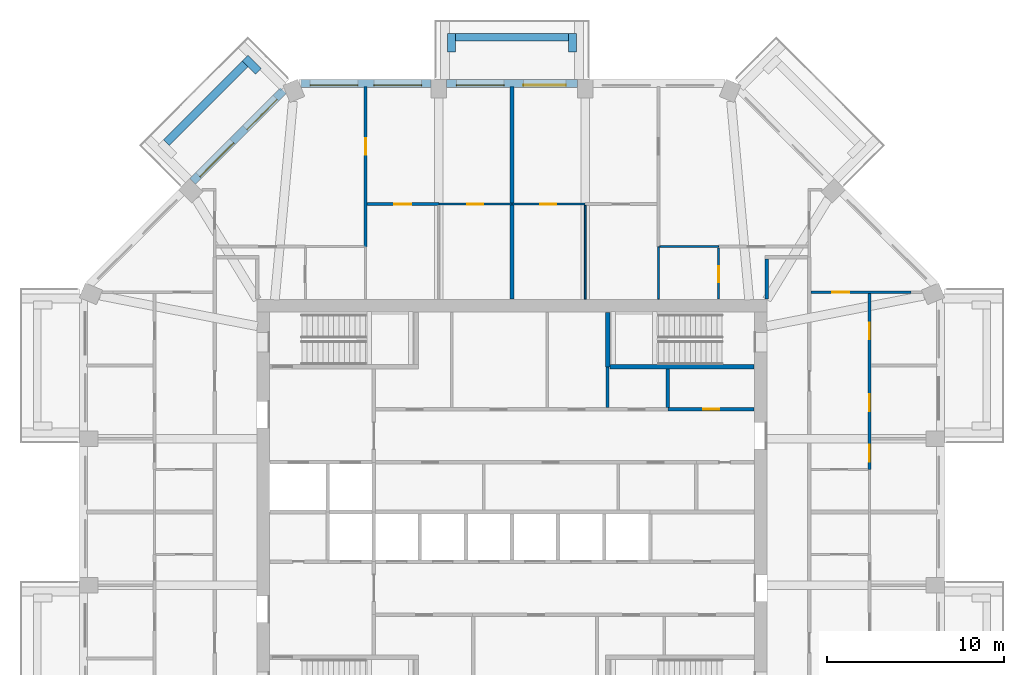
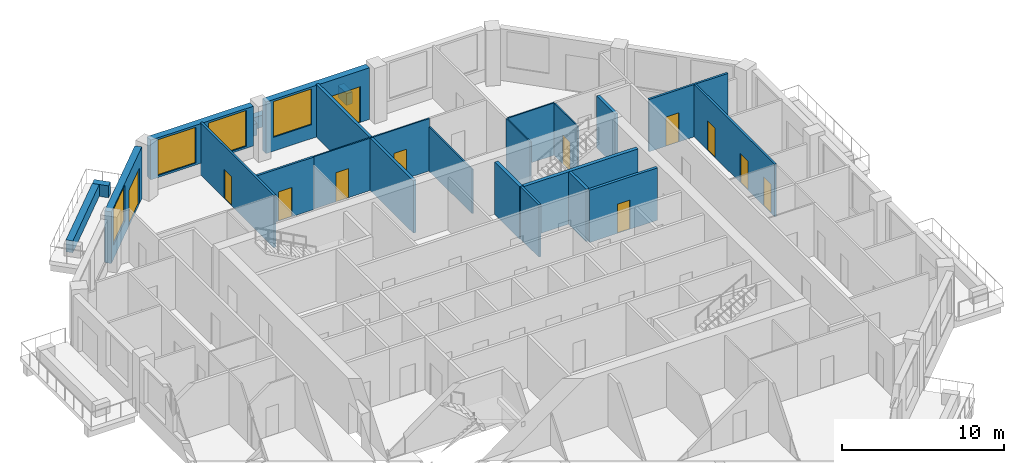
# One storey, part 8 of 12: 25 walls, 12 doors, 4 windows, 16 openings.
"""IFC4 building model written with IfcOpenShell, lengths in metres."""

from ifc_helpers import new_model, si_unit, direction, frame, frame_2d, origin, place, context, subcontext, project, spatial, rectangle, extrude, material, layer, layer_set, type_object, element, fill, save


model = new_model("IFC4")

# Units and contexts
model_context = context("Model", 3, precision=1e-05, world=origin(), true_north=direction((0.0, 1.0)))
body_context = subcontext(model_context, "Body", "Model", "MODEL_VIEW")
ifc_project = project(units=[si_unit("LENGTHUNIT", "METRE"), si_unit("AREAUNIT", "SQUARE_METRE"), si_unit("VOLUMEUNIT", "CUBIC_METRE"), si_unit("PLANEANGLEUNIT", "RADIAN"), si_unit("MASSUNIT", "GRAM", prefix="KILO")], contexts=[model_context])

# Site, building, storey
site_placement = place(None, origin())
site = spatial("IfcSite", under=ifc_project, at=site_placement, CompositionType="ELEMENT")
building_placement = place(site_placement, origin())
building = spatial("IfcBuilding", under=site, at=building_placement, Name="Msitu Wima Residences", CompositionType="ELEMENT")
storey_placement = place(building_placement, frame((0.0, 0.0, 170.699951171875)))
storey = spatial("IfcBuildingStorey", under=building, at=storey_placement, Name="L39", CompositionType="ELEMENT", Elevation=170.699951171875)

# Walls
ifc_material_1 = material(Name="Facing brick")
ifc_layer_1 = layer(ifc_material_1, 0.06494140625, Name="Facing brick")
ifc_material_2 = material(Name="Concrete C40/50", Category="concrete")
ifc_layer_2 = layer(ifc_material_2, 0.156005859375, Name="Concrete C40/50")
ifc_material_3 = material(Name="Waterproofing membrane")
ifc_layer_3 = layer(ifc_material_3, 0.00390625, Name="Waterproofing membrane")
ifc_material_4 = material(Name="Planting soil and planting")
ifc_layer_4 = layer(ifc_material_4, 0.22509765625, Name="Planting soil and planting")
ifc_layer_set_1 = layer_set([ifc_layer_1, ifc_layer_2, ifc_layer_3, ifc_layer_4], Name="Concrete C40/50")
wall_type_1 = type_object("IfcWallType", Name="Balcony planter PLANTER PL450", PredefinedType="USERDEFINED", material=ifc_layer_set_1)
wall_1_placement = place(storey_placement, frame((3.187255859375, 26.824951171875, 0.0), z_axis=(0.0, 0.0, 1.0), x_axis=(-1.0, 0.0, 0.0)))
element("IfcWall", 1, at=wall_1_placement, inside=storey, type_object=wall_type_1, Name="Balcony planter N1 L39", ObjectType="PLANTER", PredefinedType="USERDEFINED", context=body_context, shape_type="SweptSolid", body=[
    extrude(rectangle(XDim=6.37451171875, YDim=0.449951171875, at=frame_2d((3.187255859375, 0.0))), origin(), (0.0, 0.0, 1.0), 0.900146484375),
])
for number, where, z_axis, x_axis, name in (
    (2, (3.412353515625, 26.0, 0.0), (0.0, 0.0, 1.0), (0.0, 1.0, 0.0), "Balcony planter N1 L39"),
    (3, (-3.412353515625, 26.0, 0.0), (0.0, 0.0, 1.0), (0.0, 1.0, 0.0), "Balcony planter N1 L39"),
):
    element("IfcWall", number, at=place(storey_placement, frame(where, z_axis=z_axis, x_axis=x_axis)), inside=storey, type_object=wall_type_1, Name=name, ObjectType="PLANTER", PredefinedType="USERDEFINED", context=body_context, shape_type="SweptSolid", body=[
        extrude(rectangle(XDim=1.050048828125, YDim=0.449951171875, at=frame_2d((0.52490234375, 0.0))), origin(), (0.0, 0.0, 1.0), 0.900146484375),
    ])
wall_2_placement = place(storey_placement, frame((-15.0810546875, 25.325927734375, 0.0), z_axis=(0.0, 0.0, 1.0), x_axis=(-0.707106781187, -0.707106781187, 0.0)))
element("IfcWall", 4, at=wall_2_placement, inside=storey, type_object=wall_type_1, Name="Balcony planter NW0 L39", ObjectType="PLANTER", PredefinedType="USERDEFINED", context=body_context, shape_type="SweptSolid", body=[
    extrude(rectangle(XDim=6.294189453125, YDim=0.449951171875, at=frame_2d((3.14697265625, 0.0))), origin(), (0.0, 0.0, 1.0), 0.900146484375),
])
wall_3_placement = place(storey_placement, frame((-14.338623046875, 24.901611328125, 0.0), z_axis=(0.0, 0.0, 1.0), x_axis=(-0.707106781187, 0.707106781187, 0.0)))
element("IfcWall", 5, at=wall_3_placement, inside=storey, type_object=wall_type_1, Name="Balcony planter NW0 L39", ObjectType="PLANTER", PredefinedType="USERDEFINED", context=body_context, shape_type="SweptSolid", body=[
    extrude(rectangle(XDim=1.050048828125, YDim=0.449951171875, at=frame_2d((0.52490234375, 0.0))), origin(), (0.0, 0.0, 1.0), 0.900146484375),
])

# Wall, openings, door, window
ifc_material_5 = material(Name="Brick (red buff mix)", Category="masonry")
ifc_layer_5 = layer(ifc_material_5, 0.449951171875)
ifc_layer_set_2 = layer_set([ifc_layer_5], Name="Brick (red buff mix)")
wall_type_2 = type_object("IfcWallType", Name="Brick infill wall BW450", PredefinedType="SOLIDWALL", material=ifc_layer_set_2)
wall_4_placement = place(storey_placement, frame((3.687255859375, 24.22509765625, 0.0), z_axis=(0.0, 0.0, 1.0), x_axis=(-1.0, 0.0, 0.0)))
wall_4 = element("IfcWall", 6, at=wall_4_placement, inside=storey, type_object=wall_type_2, Name="Brick infill wall L39 N1", PredefinedType="SOLIDWALL", context=body_context, shape_type="SweptSolid", body=[
    extrude(rectangle(XDim=7.37451171875, YDim=0.449951171875, at=frame_2d((3.687255859375, 0.0))), origin(), (0.0, 0.0, 1.0), 3.900146484375),
])
opening_1_placement = place(wall_4_placement, frame((0.6435546875, 0.0, 0.0)))
opening_1 = element("IfcOpeningElement", 7, at=opening_1_placement, cuts=wall_4, Name="Opening D38-39.003", PredefinedType="OPENING", context=body_context, shape_type="SweptSolid", body=[
    extrude(rectangle(XDim=2.39990234375, YDim=2.699951171875, at=frame_2d((1.199951171875, 1.35009765625))), frame((0.0, 0.23486328125, 0.0), z_axis=(0.0, -1.0, 0.0), x_axis=(1.0, 0.0, 0.0)), (0.0, 0.0, 1.0), 0.469970703125),
])
opening_2_placement = place(wall_4_placement, frame((4.13720703125, 0.0, 1.050048828125)))
opening_2 = element("IfcOpeningElement", 8, at=opening_2_placement, cuts=wall_4, Name="Opening W38-39.007", PredefinedType="OPENING", context=body_context, shape_type="SweptSolid", body=[
    extrude(rectangle(XDim=2.699951171875, YDim=2.699951171875, at=frame_2d((1.35009765625, 1.35009765625))), frame((0.0, 0.23486328125, 0.0), z_axis=(0.0, -1.0, 0.0), x_axis=(1.0, 0.0, 0.0)), (0.0, 0.0, 1.0), 0.469970703125),
])
ifc_material_6 = material(Name="Anodised aluminium, bronze finish, clear low-emissivity double glazing", Category="aluminium")
door_type_1 = type_object("IfcDoorType", Name="Balcony door D2400x2700", OperationType="SLIDING_TO_LEFT", PredefinedType="DOOR", material=ifc_material_6)
door_1_placement = place(opening_1_placement, origin())
door_1 = element("IfcDoor", 9, at=door_1_placement, inside=storey, type_object=door_type_1, Name="Balcony door L39 N1", OperationType="SINGLE_SWING_LEFT", OverallHeight=2.699951171875, OverallWidth=2.39990234375, PredefinedType="DOOR", context=body_context, shape_type="SweptSolid", body=[
    extrude(rectangle(XDim=2.39990234375, YDim=2.699951171875, at=frame_2d((1.199951171875, 1.35009765625))), frame((0.0, 0.1298828125, 0.0), z_axis=(0.0, -1.0, 0.0), x_axis=(1.0, 0.0, 0.0)), (0.0, 0.0, 1.0), 0.050048828125),
])
fill(opening_1, door_1)
window_type = type_object("IfcWindowType", Name="Window W2700x2700", PartitioningType="DOUBLE_PANEL_VERTICAL", PredefinedType="WINDOW", material=ifc_material_6)
window_1_placement = place(opening_2_placement, origin())
window_1 = element("IfcWindow", 10, at=window_1_placement, inside=storey, type_object=window_type, Name="Window L39 N1.2", OverallHeight=2.699951171875, OverallWidth=2.699951171875, PartitioningType="SINGLE_PANEL", PredefinedType="WINDOW", context=body_context, shape_type="SweptSolid", body=[
    extrude(rectangle(XDim=2.699951171875, YDim=2.699951171875, at=frame_2d((1.35009765625, 1.35009765625))), frame((0.0, 0.135009765625, 0.0), z_axis=(0.0, -1.0, 0.0), x_axis=(1.0, 0.0, 0.0)), (0.0, 0.0, 1.0), 0.06005859375),
])
fill(opening_2, window_1)

# Wall, openings, windows
wall_5_placement = place(storey_placement, frame((-4.587158203125, 24.22509765625, 0.900146484375), z_axis=(0.0, 0.0, 1.0), x_axis=(-1.0, 0.0, 0.0)))
wall_5 = element("IfcWall", 11, at=wall_5_placement, inside=storey, type_object=wall_type_2, Name="Brick infill wall L39 N2", PredefinedType="SOLIDWALL", context=body_context, shape_type="SweptSolid", body=[
    extrude(rectangle(XDim=7.337646484375, YDim=0.449951171875, at=frame_2d((3.6689453125, 0.0))), origin(), (0.0, 0.0, 1.0), 3.0),
])
opening_3_placement = place(wall_5_placement, frame((0.518798828125, 0.0, 0.14990234375)))
opening_3 = element("IfcOpeningElement", 12, at=opening_3_placement, cuts=wall_5, Name="Opening W38-39.008", PredefinedType="OPENING", context=body_context, shape_type="SweptSolid", body=[
    extrude(rectangle(XDim=2.699951171875, YDim=2.699951171875, at=frame_2d((1.35009765625, 1.35009765625))), frame((0.0, 0.23486328125, 0.0), z_axis=(0.0, -1.0, 0.0), x_axis=(1.0, 0.0, 0.0)), (0.0, 0.0, 1.0), 0.469970703125),
])
opening_4_placement = place(wall_5_placement, frame((4.11865234375, 0.0, 0.14990234375)))
opening_4 = element("IfcOpeningElement", 13, at=opening_4_placement, cuts=wall_5, Name="Opening W38-39.009", PredefinedType="OPENING", context=body_context, shape_type="SweptSolid", body=[
    extrude(rectangle(XDim=2.699951171875, YDim=2.699951171875, at=frame_2d((1.35009765625, 1.35009765625))), frame((0.0, 0.23486328125, 0.0), z_axis=(0.0, -1.0, 0.0), x_axis=(1.0, 0.0, 0.0)), (0.0, 0.0, 1.0), 0.469970703125),
])
window_2_placement = place(opening_3_placement, origin())
window_2 = element("IfcWindow", 14, at=window_2_placement, inside=storey, type_object=window_type, Name="Window L39 N2.1", OverallHeight=2.699951171875, OverallWidth=2.699951171875, PartitioningType="SINGLE_PANEL", PredefinedType="WINDOW", context=body_context, shape_type="SweptSolid", body=[
    extrude(rectangle(XDim=2.699951171875, YDim=2.699951171875, at=frame_2d((1.35009765625, 1.35009765625))), frame((0.0, 0.135009765625, 0.0), z_axis=(0.0, -1.0, 0.0), x_axis=(1.0, 0.0, 0.0)), (0.0, 0.0, 1.0), 0.06005859375),
])
fill(opening_3, window_2)
window_3_placement = place(opening_4_placement, origin())
window_3 = element("IfcWindow", 15, at=window_3_placement, inside=storey, type_object=window_type, Name="Window L39 N2.2", OverallHeight=2.699951171875, OverallWidth=2.699951171875, PartitioningType="SINGLE_PANEL", PredefinedType="WINDOW", context=body_context, shape_type="SweptSolid", body=[
    extrude(rectangle(XDim=2.699951171875, YDim=2.699951171875, at=frame_2d((1.35009765625, 1.35009765625))), frame((0.0, 0.135009765625, 0.0), z_axis=(0.0, -1.0, 0.0), x_axis=(1.0, 0.0, 0.0)), (0.0, 0.0, 1.0), 0.06005859375),
])
fill(opening_4, window_3)

# Wall, openings, door, window
wall_6_placement = place(storey_placement, frame((-12.915283203125, 23.814697265625, 0.0), z_axis=(0.0, 0.0, 1.0), x_axis=(-0.707106781187, -0.707106781187, 0.0)))
wall_6 = element("IfcWall", 16, at=wall_6_placement, inside=storey, type_object=wall_type_2, Name="Brick infill wall L39 NW0", PredefinedType="SOLIDWALL", context=body_context, shape_type="SweptSolid", body=[
    extrude(rectangle(XDim=7.257080078125, YDim=0.449951171875, at=frame_2d((3.62841796875, 0.0))), origin(), (0.0, 0.0, 1.0), 3.900146484375),
])
opening_5_placement = place(wall_6_placement, frame((0.6142578125, 0.0, 0.0)))
opening_5 = element("IfcOpeningElement", 17, at=opening_5_placement, cuts=wall_6, Name="Opening D38-39.005", PredefinedType="OPENING", context=body_context, shape_type="SweptSolid", body=[
    extrude(rectangle(XDim=2.39990234375, YDim=2.699951171875, at=frame_2d((1.199951171875, 1.35009765625))), frame((0.0, 0.23486328125, 0.0), z_axis=(0.0, -1.0, 0.0), x_axis=(1.0, 0.0, 0.0)), (0.0, 0.0, 1.0), 0.469970703125),
])
opening_6_placement = place(wall_6_placement, frame((4.07861328125, 0.0, 1.050048828125)))
opening_6 = element("IfcOpeningElement", 18, at=opening_6_placement, cuts=wall_6, Name="Opening W38-39.013", PredefinedType="OPENING", context=body_context, shape_type="SweptSolid", body=[
    extrude(rectangle(XDim=2.699951171875, YDim=2.699951171875, at=frame_2d((1.35009765625, 1.35009765625))), frame((0.0, 0.23486328125, 0.0), z_axis=(0.0, -1.0, 0.0), x_axis=(1.0, 0.0, 0.0)), (0.0, 0.0, 1.0), 0.469970703125),
])
door_2_placement = place(opening_5_placement, origin())
door_2 = element("IfcDoor", 19, at=door_2_placement, inside=storey, type_object=door_type_1, Name="Balcony door L39 NW0", OperationType="SINGLE_SWING_LEFT", OverallHeight=2.699951171875, OverallWidth=2.39990234375, PredefinedType="DOOR", context=body_context, shape_type="SweptSolid", body=[
    extrude(rectangle(XDim=2.39990234375, YDim=2.699951171875, at=frame_2d((1.199951171875, 1.35009765625))), frame((0.0, 0.1298828125, 0.0), z_axis=(0.0, -1.0, 0.0), x_axis=(1.0, 0.0, 0.0)), (0.0, 0.0, 1.0), 0.050048828125),
])
fill(opening_5, door_2)
window_4_placement = place(opening_6_placement, origin())
window_4 = element("IfcWindow", 20, at=window_4_placement, inside=storey, type_object=window_type, Name="Window L39 NW0.2", OverallHeight=2.699951171875, OverallWidth=2.699951171875, PartitioningType="SINGLE_PANEL", PredefinedType="WINDOW", context=body_context, shape_type="SweptSolid", body=[
    extrude(rectangle(XDim=2.699951171875, YDim=2.699951171875, at=frame_2d((1.35009765625, 1.35009765625))), frame((0.0, 0.135009765625, 0.0), z_axis=(0.0, -1.0, 0.0), x_axis=(1.0, 0.0, 0.0)), (0.0, 0.0, 1.0), 0.06005859375),
])
fill(opening_6, window_4)

# Wall
ifc_material_7 = material(Name="Plaster")
ifc_layer_6 = layer(ifc_material_7, 0.011962890625, Name="Plaster")
ifc_material_8 = material(Name="Concrete blockwork", Category="masonry")
ifc_layer_7 = layer(ifc_material_8, 0.176025390625, Name="Concrete blockwork")
ifc_layer_8 = layer(ifc_material_7, 0.011962890625, Name="Plaster")
ifc_layer_set_3 = layer_set([ifc_layer_6, ifc_layer_7, ifc_layer_8], Name="Concrete blockwork")
wall_type_3 = type_object("IfcWallType", Name="Corridor wall FW200", PredefinedType="PARTITIONING", material=ifc_layer_set_3)
wall_7_placement = place(storey_placement, frame((14.39990234375, 12.030029296875, 0.0), z_axis=(0.0, 0.0, 1.0), x_axis=(0.0, 1.0, 0.0)))
element("IfcWall", 21, at=wall_7_placement, inside=storey, type_object=wall_type_3, Name="Corridor wall", PredefinedType="PARTITIONING", context=body_context, shape_type="SweptSolid", body=[
    extrude(rectangle(XDim=2.27001953125, YDim=0.199951171875, at=frame_2d((1.135009765625, 0.0))), origin(), (0.0, 0.0, 1.0), 3.949951171875),
])

# Wall, opening, door
ifc_layer_9 = layer(ifc_material_7, 0.011962890625, Name="Plaster")
ifc_layer_10 = layer(ifc_material_8, 0.1259765625, Name="Concrete blockwork")
ifc_layer_11 = layer(ifc_material_7, 0.011962890625, Name="Plaster")
ifc_layer_set_4 = layer_set([ifc_layer_9, ifc_layer_10, ifc_layer_11], Name="Concrete blockwork")
wall_type_4 = type_object("IfcWallType", Name="Partition PW150", PredefinedType="PARTITIONING", material=ifc_layer_set_4)
wall_8_placement = place(storey_placement, frame((-8.2744140625, 14.97998046875, 0.0), z_axis=(0.0, 0.0, 1.0), x_axis=(0.0, 1.0, 0.0)))
wall_8 = element("IfcWall", 22, at=wall_8_placement, inside=storey, type_object=wall_type_4, Name="Partition", PredefinedType="PARTITIONING", context=body_context, shape_type="SweptSolid", body=[
    extrude(rectangle(XDim=9.074951171875, YDim=0.14990234375, at=frame_2d((4.53759765625, 0.0))), origin(), (0.0, 0.0, 1.0), 3.949951171875),
])
opening_7_placement = place(wall_8_placement, frame((5.199951171875, 0.0, 0.0)))
opening_7 = element("IfcOpeningElement", 23, at=opening_7_placement, cuts=wall_8, Name="Opening D38-39.032", PredefinedType="OPENING", context=body_context, shape_type="SweptSolid", body=[
    extrude(rectangle(XDim=0.949951171875, YDim=2.199951171875, at=frame_2d((0.47509765625, 1.10009765625))), frame((0.0, 0.0849609375, 0.0), z_axis=(0.0, -1.0, 0.0), x_axis=(1.0, 0.0, 0.0)), (0.0, 0.0, 1.0), 0.169921875),
])
ifc_material_9 = material(Name="Timber flush door", Category="wood")
door_type_2 = type_object("IfcDoorType", Name="Room door D12 950x2200", OperationType="SINGLE_SWING_LEFT", PredefinedType="DOOR", material=ifc_material_9)
door_3_placement = place(opening_7_placement, origin())
door_3 = element("IfcDoor", 24, at=door_3_placement, inside=storey, type_object=door_type_2, Name="Room door", OperationType="SINGLE_SWING_RIGHT", OverallHeight=2.199951171875, OverallWidth=0.949951171875, PredefinedType="DOOR", context=body_context, shape_type="SweptSolid", body=[
    extrude(rectangle(XDim=0.949951171875, YDim=2.199951171875, at=frame_2d((0.47509765625, 1.10009765625))), frame((0.0, 0.02490234375, 0.0), z_axis=(0.0, -1.0, 0.0), x_axis=(1.0, 0.0, 0.0)), (0.0, 0.0, 1.0), 0.050048828125),
])
fill(opening_7, door_3)

wall_9_placement = place(storey_placement, frame((-8.199462890625, 17.39990234375, 0.0), z_axis=(0.0, 0.0, 1.0), x_axis=(1.0, 0.0, 0.0)))
wall_9 = element("IfcWall", 25, at=wall_9_placement, inside=storey, type_object=wall_type_4, Name="Partition", PredefinedType="PARTITIONING", context=body_context, shape_type="SweptSolid", body=[
    extrude(rectangle(XDim=4.062255859375, YDim=0.14990234375, at=frame_2d((2.03125, 0.0))), origin(), (0.0, 0.0, 1.0), 3.949951171875),
])
opening_8_placement = place(wall_9_placement, frame((1.550048828125, 0.0, 0.0)))
opening_8 = element("IfcOpeningElement", 26, at=opening_8_placement, cuts=wall_9, Name="Opening D38-39.025", PredefinedType="OPENING", context=body_context, shape_type="SweptSolid", body=[
    extrude(rectangle(XDim=0.949951171875, YDim=2.199951171875, at=frame_2d((0.47509765625, 1.10009765625))), frame((0.0, 0.0849609375, 0.0), z_axis=(0.0, -1.0, 0.0), x_axis=(1.0, 0.0, 0.0)), (0.0, 0.0, 1.0), 0.169921875),
])
door_4_placement = place(opening_8_placement, origin())
door_4 = element("IfcDoor", 27, at=door_4_placement, inside=storey, type_object=door_type_2, Name="Room door", OperationType="SINGLE_SWING_LEFT", OverallHeight=2.199951171875, OverallWidth=0.949951171875, PredefinedType="DOOR", context=body_context, shape_type="SweptSolid", body=[
    extrude(rectangle(XDim=0.949951171875, YDim=2.199951171875, at=frame_2d((0.47509765625, 1.10009765625))), frame((0.0, 0.02490234375, 0.0), z_axis=(0.0, -1.0, 0.0), x_axis=(1.0, 0.0, 0.0)), (0.0, 0.0, 1.0), 0.050048828125),
])
fill(opening_8, door_4)

# Wall
wall_10_placement = place(storey_placement, frame((5.39990234375, 5.89990234375, 0.0), z_axis=(0.0, 0.0, 1.0), x_axis=(0.0, 1.0, 0.0)))
element("IfcWall", 28, at=wall_10_placement, inside=storey, type_object=wall_type_4, Name="Partition", PredefinedType="PARTITIONING", context=body_context, shape_type="SweptSolid", body=[
    extrude(rectangle(XDim=2.300048828125, YDim=0.14990234375, at=frame_2d((1.14990234375, 0.0))), origin(), (0.0, 0.0, 1.0), 3.949951171875),
])

# Wall, opening, door
wall_11_placement = place(storey_placement, frame((16.89990234375, 12.411865234375, 0.0), z_axis=(0.0, 0.0, 1.0), x_axis=(1.0, 0.0, 0.0)))
wall_11 = element("IfcWall", 29, at=wall_11_placement, inside=storey, type_object=wall_type_4, Name="Partition", PredefinedType="PARTITIONING", context=body_context, shape_type="SweptSolid", body=[
    extrude(rectangle(XDim=5.638427734375, YDim=0.14990234375, at=frame_2d((2.8193359375, 0.0))), origin(), (0.0, 0.0, 1.0), 3.949951171875),
])
opening_9_placement = place(wall_11_placement, frame((1.199951171875, 0.0, 0.0)))
opening_9 = element("IfcOpeningElement", 30, at=opening_9_placement, cuts=wall_11, Name="Opening D38-39.018", PredefinedType="OPENING", context=body_context, shape_type="SweptSolid", body=[
    extrude(rectangle(XDim=0.949951171875, YDim=2.199951171875, at=frame_2d((0.47509765625, 1.10009765625))), frame((0.0, 0.0849609375, 0.0), z_axis=(0.0, -1.0, 0.0), x_axis=(1.0, 0.0, 0.0)), (0.0, 0.0, 1.0), 0.169921875),
])
door_5_placement = place(opening_9_placement, origin())
door_5 = element("IfcDoor", 31, at=door_5_placement, inside=storey, type_object=door_type_2, Name="Room door", OperationType="SINGLE_SWING_LEFT", OverallHeight=2.199951171875, OverallWidth=0.949951171875, PredefinedType="DOOR", context=body_context, shape_type="SweptSolid", body=[
    extrude(rectangle(XDim=0.949951171875, YDim=2.199951171875, at=frame_2d((0.47509765625, 1.10009765625))), frame((0.0, 0.02490234375, 0.0), z_axis=(0.0, -1.0, 0.0), x_axis=(1.0, 0.0, 0.0)), (0.0, 0.0, 1.0), 0.050048828125),
])
fill(opening_9, door_5)

# Wall, openings, doors
wall_12_placement = place(storey_placement, frame((20.199951171875, 2.39990234375, 0.0), z_axis=(0.0, 0.0, 1.0), x_axis=(0.0, 1.0, 0.0)))
wall_12 = element("IfcWall", 32, at=wall_12_placement, inside=storey, type_object=wall_type_4, Name="Partition", PredefinedType="PARTITIONING", context=body_context, shape_type="SweptSolid", body=[
    extrude(rectangle(XDim=9.936767578125, YDim=0.14990234375, at=frame_2d((4.96826171875, 0.0))), origin(), (0.0, 0.0, 1.0), 3.949951171875),
])
opening_10_placement = place(wall_12_placement, frame((0.449951171875, 0.0, 0.0)))
opening_10 = element("IfcOpeningElement", 33, at=opening_10_placement, cuts=wall_12, Name="Opening D38-39.015", PredefinedType="OPENING", context=body_context, shape_type="SweptSolid", body=[
    extrude(rectangle(XDim=0.949951171875, YDim=2.199951171875, at=frame_2d((0.47509765625, 1.10009765625))), frame((0.0, 0.0849609375, 0.0), z_axis=(0.0, -1.0, 0.0), x_axis=(1.0, 0.0, 0.0)), (0.0, 0.0, 1.0), 0.169921875),
])
opening_11_placement = place(wall_12_placement, frame((3.300048828125, 0.0, 0.0)))
opening_11 = element("IfcOpeningElement", 34, at=opening_11_placement, cuts=wall_12, Name="Opening D38-39.016", PredefinedType="OPENING", context=body_context, shape_type="SweptSolid", body=[
    extrude(rectangle(XDim=0.949951171875, YDim=2.199951171875, at=frame_2d((0.47509765625, 1.10009765625))), frame((0.0, 0.0849609375, 0.0), z_axis=(0.0, -1.0, 0.0), x_axis=(1.0, 0.0, 0.0)), (0.0, 0.0, 1.0), 0.169921875),
])
opening_12_placement = place(wall_12_placement, frame((7.35009765625, 0.0, 0.0)))
opening_12 = element("IfcOpeningElement", 35, at=opening_12_placement, cuts=wall_12, Name="Opening D38-39.017", PredefinedType="OPENING", context=body_context, shape_type="SweptSolid", body=[
    extrude(rectangle(XDim=0.949951171875, YDim=2.199951171875, at=frame_2d((0.47509765625, 1.10009765625))), frame((0.0, 0.0849609375, 0.0), z_axis=(0.0, -1.0, 0.0), x_axis=(1.0, 0.0, 0.0)), (0.0, 0.0, 1.0), 0.169921875),
])
door_6_placement = place(opening_10_placement, origin())
door_6 = element("IfcDoor", 36, at=door_6_placement, inside=storey, type_object=door_type_2, Name="Room door", OperationType="SINGLE_SWING_LEFT", OverallHeight=2.199951171875, OverallWidth=0.949951171875, PredefinedType="DOOR", context=body_context, shape_type="SweptSolid", body=[
    extrude(rectangle(XDim=0.949951171875, YDim=2.199951171875, at=frame_2d((0.47509765625, 1.10009765625))), frame((0.0, 0.02490234375, 0.0), z_axis=(0.0, -1.0, 0.0), x_axis=(1.0, 0.0, 0.0)), (0.0, 0.0, 1.0), 0.050048828125),
])
fill(opening_10, door_6)
door_7_placement = place(opening_11_placement, origin())
door_7 = element("IfcDoor", 37, at=door_7_placement, inside=storey, type_object=door_type_2, Name="Room door", OperationType="SINGLE_SWING_RIGHT", OverallHeight=2.199951171875, OverallWidth=0.949951171875, PredefinedType="DOOR", context=body_context, shape_type="SweptSolid", body=[
    extrude(rectangle(XDim=0.949951171875, YDim=2.199951171875, at=frame_2d((0.47509765625, 1.10009765625))), frame((0.0, 0.02490234375, 0.0), z_axis=(0.0, -1.0, 0.0), x_axis=(1.0, 0.0, 0.0)), (0.0, 0.0, 1.0), 0.050048828125),
])
fill(opening_11, door_7)
door_8_placement = place(opening_12_placement, origin())
door_8 = element("IfcDoor", 38, at=door_8_placement, inside=storey, type_object=door_type_2, Name="Room door", OperationType="SINGLE_SWING_RIGHT", OverallHeight=2.199951171875, OverallWidth=0.949951171875, PredefinedType="DOOR", context=body_context, shape_type="SweptSolid", body=[
    extrude(rectangle(XDim=0.949951171875, YDim=2.199951171875, at=frame_2d((0.47509765625, 1.10009765625))), frame((0.0, 0.02490234375, 0.0), z_axis=(0.0, -1.0, 0.0), x_axis=(1.0, 0.0, 0.0)), (0.0, 0.0, 1.0), 0.050048828125),
])
fill(opening_12, door_8)

# Wall
ifc_layer_12 = layer(ifc_material_7, 0.011962890625, Name="Plaster")
ifc_material_10 = material(Name="Dense concrete blockwork", Category="masonry")
ifc_layer_13 = layer(ifc_material_10, 0.176025390625, Name="Dense concrete blockwork")
ifc_layer_14 = layer(ifc_material_7, 0.011962890625, Name="Plaster")
ifc_layer_set_5 = layer_set([ifc_layer_12, ifc_layer_13, ifc_layer_14], Name="Dense concrete blockwork")
wall_type_5 = type_object("IfcWallType", Name="Party wall PW200", PredefinedType="PARTITIONING", material=ifc_layer_set_5)
wall_13_placement = place(storey_placement, frame((0.0, 12.030029296875, 0.0), z_axis=(0.0, 0.0, 1.0), x_axis=(0.0, 1.0, 0.0)))
element("IfcWall", 39, at=wall_13_placement, inside=storey, type_object=wall_type_5, Name="Party wall", PredefinedType="PARTITIONING", context=body_context, shape_type="SweptSolid", body=[
    extrude(rectangle(XDim=12.02490234375, YDim=0.199951171875, at=frame_2d((6.012451171875, 0.0))), origin(), (0.0, 0.0, 1.0), 3.949951171875),
])

# Wall, opening, door
ifc_layer_15 = layer(ifc_material_7, 0.011962890625, Name="Plaster")
ifc_material_11 = material(Name="Reinforced concrete blockwork", Category="masonry")
ifc_layer_16 = layer(ifc_material_11, 0.176025390625, Name="Reinforced concrete blockwork")
ifc_layer_17 = layer(ifc_material_7, 0.011962890625, Name="Plaster")
ifc_layer_set_6 = layer_set([ifc_layer_15, ifc_layer_16, ifc_layer_17], Name="Reinforced concrete blockwork")
wall_type_6 = type_object("IfcWallType", Name="Plant and riser wall PL200", PredefinedType="PARTITIONING", material=ifc_layer_set_6)
wall_14_placement = place(storey_placement, frame((8.820068359375, 5.800048828125, 0.0), z_axis=(0.0, 0.0, 1.0), x_axis=(1.0, 0.0, 0.0)))
wall_14 = element("IfcWall", 40, at=wall_14_placement, inside=storey, type_object=wall_type_6, Name="Plant and riser wall", PredefinedType="PARTITIONING", context=body_context, shape_type="SweptSolid", body=[
    extrude(rectangle(XDim=4.849853515625, YDim=0.199951171875, at=frame_2d((2.4248046875, 0.0))), origin(), (0.0, 0.0, 1.0), 3.949951171875),
])
opening_13_placement = place(wall_14_placement, frame((2.0, 0.0, 0.0)))
opening_13 = element("IfcOpeningElement", 41, at=opening_13_placement, cuts=wall_14, Name="Opening D38-39.068", PredefinedType="OPENING", context=body_context, shape_type="SweptSolid", body=[
    extrude(rectangle(XDim=0.89990234375, YDim=2.199951171875, at=frame_2d((0.449951171875, 1.10009765625))), frame((0.0, 0.10986328125, 0.0), z_axis=(0.0, -1.0, 0.0), x_axis=(1.0, 0.0, 0.0)), (0.0, 0.0, 1.0), 0.219970703125),
])
door_type_3 = type_object("IfcDoorType", Name="Service door D05 900x2200", OperationType="SINGLE_SWING_LEFT", PredefinedType="DOOR", material=ifc_material_9)
door_9_placement = place(opening_13_placement, origin())
door_9 = element("IfcDoor", 42, at=door_9_placement, inside=storey, type_object=door_type_3, Name="Service door", OperationType="SINGLE_SWING_LEFT", OverallHeight=2.199951171875, OverallWidth=0.89990234375, PredefinedType="DOOR", context=body_context, shape_type="SweptSolid", body=[
    extrude(rectangle(XDim=0.89990234375, YDim=2.199951171875, at=frame_2d((0.449951171875, 1.10009765625))), frame((0.0, 0.02490234375, 0.0), z_axis=(0.0, -1.0, 0.0), x_axis=(1.0, 0.0, 0.0)), (0.0, 0.0, 1.0), 0.050048828125),
])
fill(opening_13, door_9)

# Walls
wall_15_placement = place(storey_placement, frame((8.800048828125, 5.89990234375, 0.0), z_axis=(0.0, 0.0, 1.0), x_axis=(0.0, 1.0, 0.0)))
element("IfcWall", 43, at=wall_15_placement, inside=storey, type_object=wall_type_6, Name="Plant and riser wall", PredefinedType="PARTITIONING", context=body_context, shape_type="SweptSolid", body=[
    extrude(rectangle(XDim=2.175048828125, YDim=0.199951171875, at=frame_2d((1.08740234375, 0.0))), origin(), (0.0, 0.0, 1.0), 3.949951171875),
])
ifc_material_12 = material(Name="Concrete C50/60", Category="concrete")
ifc_layer_18 = layer(ifc_material_12, 0.25)
ifc_layer_set_7 = layer_set([ifc_layer_18], Name="Concrete C50/60")
wall_type_7 = type_object("IfcWallType", Name="Stair enclosure wall SW250", PredefinedType="SHEAR", material=ifc_layer_set_7)
wall_16_placement = place(storey_placement, frame((5.39990234375, 8.199951171875, 0.0), z_axis=(0.0, 0.0, 1.0), x_axis=(0.0, 1.0, 0.0)))
element("IfcWall", 44, at=wall_16_placement, inside=storey, type_object=wall_type_7, Name="Stair enclosure wall", PredefinedType="SHEAR", context=body_context, shape_type="SweptSolid", body=[
    extrude(rectangle(XDim=3.070068359375, YDim=0.25, at=frame_2d((1.53515625, 0.0))), origin(), (0.0, 0.0, 1.0), 3.949951171875),
])
wall_17_placement = place(storey_placement, frame((5.52490234375, 8.199951171875, 0.0), z_axis=(0.0, 0.0, 1.0), x_axis=(1.0, 0.0, 0.0)))
element("IfcWall", 45, at=wall_17_placement, inside=storey, type_object=wall_type_7, Name="Stair enclosure wall", PredefinedType="SHEAR", context=body_context, shape_type="SweptSolid", body=[
    extrude(rectangle(XDim=8.14501953125, YDim=0.25, at=frame_2d((4.072509765625, 0.0))), origin(), (0.0, 0.0, 1.0), 3.949951171875),
])

# Wall, opening, door
ifc_material_13 = material(Name="Ceramic tiles")
ifc_layer_19 = layer(ifc_material_13, 0.008056640625, Name="Ceramic tiles")
ifc_material_14 = material(Name="Moisture-resistant board")
ifc_layer_20 = layer(ifc_material_14, 0.012451171875, Name="Moisture-resistant board")
ifc_material_15 = material(Name="Light-gauge stud framing with mineral wool")
ifc_layer_21 = layer(ifc_material_15, 0.06689453125, Name="Light-gauge stud framing with mineral wool")
ifc_layer_22 = layer(ifc_material_14, 0.012451171875, Name="Moisture-resistant board")
ifc_layer_set_8 = layer_set([ifc_layer_19, ifc_layer_20, ifc_layer_21, ifc_layer_22], Name="Light-gauge stud framing with mineral wool")
wall_type_8 = type_object("IfcWallType", Name="Wet wall PW100", PredefinedType="PARTITIONING", material=ifc_layer_set_8)
wall_18_placement = place(storey_placement, frame((-4.13720703125, 17.39990234375, 0.0), z_axis=(0.0, 0.0, 1.0), x_axis=(1.0, 0.0, 0.0)))
wall_18 = element("IfcWall", 46, at=wall_18_placement, inside=storey, type_object=wall_type_8, Name="Wet wall", PredefinedType="PARTITIONING", context=body_context, shape_type="SweptSolid", body=[
    extrude(rectangle(XDim=4.13720703125, YDim=0.10009765625, at=frame_2d((2.068603515625, 0.0))), origin(), (0.0, 0.0, 1.0), 3.949951171875),
])
opening_14_placement = place(wall_18_placement, frame((1.60009765625, 0.0, 0.0)))
opening_14 = element("IfcOpeningElement", 47, at=opening_14_placement, cuts=wall_18, Name="Opening D38-39.034", PredefinedType="OPENING", context=body_context, shape_type="SweptSolid", body=[
    extrude(rectangle(XDim=0.89990234375, YDim=2.199951171875, at=frame_2d((0.449951171875, 1.10009765625))), frame((0.0, 0.06005859375, 0.0), z_axis=(0.0, -1.0, 0.0), x_axis=(1.0, 0.0, 0.0)), (0.0, 0.0, 1.0), 0.1201171875),
])
ifc_material_16 = material(Name="Timber flush door, moisture resistant", Category="wood")
door_type_4 = type_object("IfcDoorType", Name="Bathroom door D03 900x2200", OperationType="SINGLE_SWING_LEFT", PredefinedType="DOOR", material=ifc_material_16)
door_10_placement = place(opening_14_placement, origin())
door_10 = element("IfcDoor", 48, at=door_10_placement, inside=storey, type_object=door_type_4, Name="Bathroom door", OperationType="SINGLE_SWING_LEFT", OverallHeight=2.199951171875, OverallWidth=0.89990234375, PredefinedType="DOOR", context=body_context, shape_type="SweptSolid", body=[
    extrude(rectangle(XDim=0.89990234375, YDim=2.199951171875, at=frame_2d((0.449951171875, 1.10009765625))), frame((0.0, 0.02490234375, 0.0), z_axis=(0.0, -1.0, 0.0), x_axis=(1.0, 0.0, 0.0)), (0.0, 0.0, 1.0), 0.050048828125),
])
fill(opening_14, door_10)

wall_19_placement = place(storey_placement, frame((0.0, 17.39990234375, 0.0), z_axis=(0.0, 0.0, 1.0), x_axis=(1.0, 0.0, 0.0)))
wall_19 = element("IfcWall", 49, at=wall_19_placement, inside=storey, type_object=wall_type_8, Name="Wet wall", PredefinedType="PARTITIONING", context=body_context, shape_type="SweptSolid", body=[
    extrude(rectangle(XDim=4.13720703125, YDim=0.10009765625, at=frame_2d((2.068603515625, 0.0))), origin(), (0.0, 0.0, 1.0), 3.949951171875),
])
opening_15_placement = place(wall_19_placement, frame((1.60009765625, 0.0, 0.0)))
opening_15 = element("IfcOpeningElement", 50, at=opening_15_placement, cuts=wall_19, Name="Opening D38-39.022", PredefinedType="OPENING", context=body_context, shape_type="SweptSolid", body=[
    extrude(rectangle(XDim=0.89990234375, YDim=2.199951171875, at=frame_2d((0.449951171875, 1.10009765625))), frame((0.0, 0.06005859375, 0.0), z_axis=(0.0, -1.0, 0.0), x_axis=(1.0, 0.0, 0.0)), (0.0, 0.0, 1.0), 0.1201171875),
])
door_11_placement = place(opening_15_placement, origin())
door_11 = element("IfcDoor", 51, at=door_11_placement, inside=storey, type_object=door_type_4, Name="Bathroom door", OperationType="SINGLE_SWING_RIGHT", OverallHeight=2.199951171875, OverallWidth=0.89990234375, PredefinedType="DOOR", context=body_context, shape_type="SweptSolid", body=[
    extrude(rectangle(XDim=0.89990234375, YDim=2.199951171875, at=frame_2d((0.449951171875, 1.10009765625))), frame((0.0, 0.02490234375, 0.0), z_axis=(0.0, -1.0, 0.0), x_axis=(1.0, 0.0, 0.0)), (0.0, 0.0, 1.0), 0.050048828125),
])
fill(opening_15, door_11)

# Walls
wall_20_placement = place(storey_placement, frame((4.13720703125, 12.030029296875, 0.0), z_axis=(0.0, 0.0, 1.0), x_axis=(0.0, 1.0, 0.0)))
element("IfcWall", 52, at=wall_20_placement, inside=storey, type_object=wall_type_8, Name="Wet wall", PredefinedType="PARTITIONING", context=body_context, shape_type="SweptSolid", body=[
    extrude(rectangle(XDim=5.294921875, YDim=0.10009765625, at=frame_2d((2.6474609375, 0.0))), origin(), (0.0, 0.0, 1.0), 3.35009765625),
])
wall_21_placement = place(storey_placement, frame((8.2744140625, 12.030029296875, 0.0), z_axis=(0.0, 0.0, 1.0), x_axis=(0.0, 1.0, 0.0)))
element("IfcWall", 53, at=wall_21_placement, inside=storey, type_object=wall_type_8, Name="Wet wall", PredefinedType="PARTITIONING", context=body_context, shape_type="SweptSolid", body=[
    extrude(rectangle(XDim=2.949951171875, YDim=0.10009765625, at=frame_2d((1.47509765625, 0.0))), origin(), (0.0, 0.0, 1.0), 3.949951171875),
])
wall_22_placement = place(storey_placement, frame((8.349609375, 15.0, 0.0), z_axis=(0.0, 0.0, 1.0), x_axis=(1.0, 0.0, 0.0)))
element("IfcWall", 54, at=wall_22_placement, inside=storey, type_object=wall_type_8, Name="Wet wall", PredefinedType="PARTITIONING", context=body_context, shape_type="SweptSolid", body=[
    extrude(rectangle(XDim=3.324951171875, YDim=0.10009765625, at=frame_2d((1.66259765625, 0.0))), origin(), (0.0, 0.0, 1.0), 3.949951171875),
])

# Wall, opening, door
wall_23_placement = place(storey_placement, frame((11.674560546875, 12.030029296875, 0.0), z_axis=(0.0, 0.0, 1.0), x_axis=(0.0, 1.0, 0.0)))
wall_23 = element("IfcWall", 55, at=wall_23_placement, inside=storey, type_object=wall_type_8, Name="Wet wall", PredefinedType="PARTITIONING", context=body_context, shape_type="SweptSolid", body=[
    extrude(rectangle(XDim=2.89501953125, YDim=0.10009765625, at=frame_2d((1.447509765625, 0.0))), origin(), (0.0, 0.0, 1.0), 3.949951171875),
])
opening_16_placement = place(wall_23_placement, frame((0.949951171875, 0.0, 0.0)))
opening_16 = element("IfcOpeningElement", 56, at=opening_16_placement, cuts=wall_23, Name="Opening D38-39.014", PredefinedType="OPENING", context=body_context, shape_type="SweptSolid", body=[
    extrude(rectangle(XDim=0.89990234375, YDim=2.199951171875, at=frame_2d((0.449951171875, 1.10009765625))), frame((0.0, 0.06005859375, 0.0), z_axis=(0.0, -1.0, 0.0), x_axis=(1.0, 0.0, 0.0)), (0.0, 0.0, 1.0), 0.1201171875),
])
door_12_placement = place(opening_16_placement, origin())
door_12 = element("IfcDoor", 57, at=door_12_placement, inside=storey, type_object=door_type_3, Name="Service door", OperationType="SINGLE_SWING_LEFT", OverallHeight=2.199951171875, OverallWidth=0.89990234375, PredefinedType="DOOR", context=body_context, shape_type="SweptSolid", body=[
    extrude(rectangle(XDim=0.89990234375, YDim=2.199951171875, at=frame_2d((0.449951171875, 1.10009765625))), frame((0.0, 0.02490234375, 0.0), z_axis=(0.0, -1.0, 0.0), x_axis=(1.0, 0.0, 0.0)), (0.0, 0.0, 1.0), 0.050048828125),
])
fill(opening_16, door_12)

save(model, "model.ifc")
